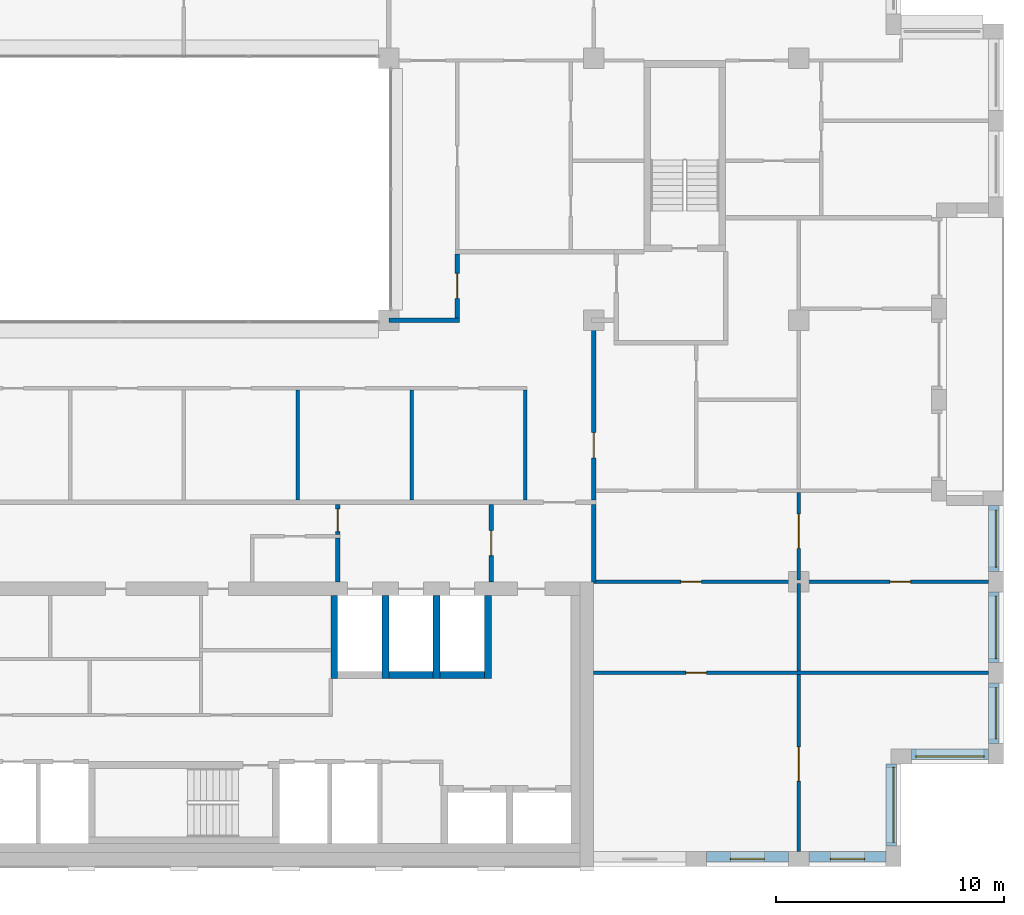
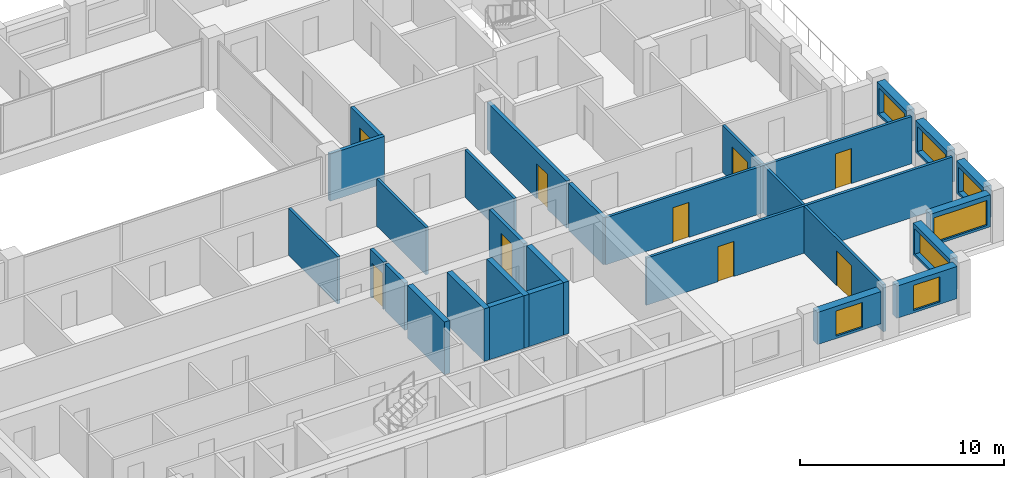
# One storey, part 11 of 15: 28 walls, 9 doors, 7 windows, 16 openings.
"""IFC4 building model written with IfcOpenShell, lengths in metres."""

from ifc_helpers import new_model, si_unit, direction, frame, frame_2d, origin, place, context, subcontext, project, spatial, rectangle, extrude, material, layer, layer_set, type_object, element, fill, save


model = new_model("IFC4")

# Units and contexts
model_context = context("Model", 3, precision=1e-05, world=origin(), true_north=direction((0.0, 1.0)))
body_context = subcontext(model_context, "Body", "Model", "MODEL_VIEW")
ifc_project = project(units=[si_unit("LENGTHUNIT", "METRE"), si_unit("AREAUNIT", "SQUARE_METRE"), si_unit("VOLUMEUNIT", "CUBIC_METRE"), si_unit("PLANEANGLEUNIT", "RADIAN"), si_unit("MASSUNIT", "GRAM", prefix="KILO")], contexts=[model_context])

# Site, building, storey
site_placement = place(None, origin())
site = spatial("IfcSite", under=ifc_project, at=site_placement, CompositionType="ELEMENT")
building_placement = place(site_placement, origin())
building = spatial("IfcBuilding", under=site, at=building_placement, Name="Brigalow Station Residences", CompositionType="ELEMENT")
storey_placement = place(building_placement, frame((0.0, 0.0, 213.75)))
storey = spatial("IfcBuildingStorey", under=building, at=storey_placement, Name="L61", CompositionType="ELEMENT", Elevation=213.75)

# Wall, opening, window
ifc_material_1 = material(Name="Clay brick masonry", Category="masonry")
ifc_layer_1 = layer(ifc_material_1, 0.449951171875)
ifc_layer_set_1 = layer_set([ifc_layer_1], Name="BRICK INFILL WALL 450")
wall_type_1 = type_object("IfcWallType", Name="BRICK INFILL WALL 450", PredefinedType="SOLIDWALL", material=ifc_layer_set_1)
wall_1_placement = place(storey_placement, frame((58.949951171875, 0.425048828125, 0.89990234375), z_axis=(0.0, 0.0, 1.0), x_axis=(1.0, 0.0, 0.0)))
wall_1 = element("IfcWall", 1, at=wall_1_placement, inside=storey, type_object=wall_type_1, Name="L61/ewall/W-L61-4", PredefinedType="SOLIDWALL", context=body_context, shape_type="SweptSolid", body=[
    extrude(rectangle(XDim=3.60009765625, YDim=0.449951171875, at=frame_2d((1.800048828125, 0.0))), origin(), (0.0, 0.0, 1.0), 1.93017578125),
])
opening_1_placement = place(wall_1_placement, frame((1.050048828125, 0.0, 0.14990234375)))
opening_1 = element("IfcOpeningElement", 2, at=opening_1_placement, cuts=wall_1, Name="Opening WT-1", PredefinedType="OPENING", context=body_context, shape_type="SweptSolid", body=[
    extrude(rectangle(XDim=1.5, YDim=1.5, at=frame_2d((0.75, 0.75))), frame((0.0, 0.23486328125, 0.0), z_axis=(0.0, -1.0, 0.0), x_axis=(1.0, 0.0, 0.0)), (0.0, 0.0, 1.0), 0.469970703125),
])
ifc_material_2 = material(Name="Anodised aluminium frame with double glazing", Category="aluminium")
window_type_1 = type_object("IfcWindowType", Name="WINDOW 1500x1500", PartitioningType="SINGLE_PANEL", PredefinedType="WINDOW", material=ifc_material_2)
window_1_placement = place(opening_1_placement, origin())
window_1 = element("IfcWindow", 3, at=window_1_placement, inside=storey, type_object=window_type_1, Name="L61/window/W-L61-4", OverallHeight=1.5, OverallWidth=1.5, PartitioningType="SINGLE_PANEL", PredefinedType="WINDOW", context=body_context, shape_type="SweptSolid", body=[
    extrude(rectangle(XDim=1.5, YDim=1.5, at=frame_2d((0.75, 0.75))), frame((0.0, -0.06494140625, 0.0), z_axis=(0.0, -1.0, 0.0), x_axis=(1.0, 0.0, 0.0)), (0.0, 0.0, 1.0), 0.06005859375),
])
fill(opening_1, window_1)

wall_2_placement = place(storey_placement, frame((63.449951171875, 0.425048828125, 0.89990234375), z_axis=(0.0, 0.0, 1.0), x_axis=(1.0, 0.0, 0.0)))
wall_2 = element("IfcWall", 4, at=wall_2_placement, inside=storey, type_object=wall_type_1, Name="L61/ewall/W-L61-5", PredefinedType="SOLIDWALL", context=body_context, shape_type="SweptSolid", body=[
    extrude(rectangle(XDim=3.400146484375, YDim=0.449951171875, at=frame_2d((1.7001953125, 0.0))), origin(), (0.0, 0.0, 1.0), 1.93017578125),
])
opening_2_placement = place(wall_2_placement, frame((0.949951171875, 0.0, 0.14990234375)))
opening_2 = element("IfcOpeningElement", 5, at=opening_2_placement, cuts=wall_2, Name="Opening WT-1", PredefinedType="OPENING", context=body_context, shape_type="SweptSolid", body=[
    extrude(rectangle(XDim=1.5, YDim=1.5, at=frame_2d((0.75, 0.75))), frame((0.0, 0.23486328125, 0.0), z_axis=(0.0, -1.0, 0.0), x_axis=(1.0, 0.0, 0.0)), (0.0, 0.0, 1.0), 0.469970703125),
])
window_2_placement = place(opening_2_placement, origin())
window_2 = element("IfcWindow", 6, at=window_2_placement, inside=storey, type_object=window_type_1, Name="L61/window/W-L61-5", OverallHeight=1.5, OverallWidth=1.5, PartitioningType="SINGLE_PANEL", PredefinedType="WINDOW", context=body_context, shape_type="SweptSolid", body=[
    extrude(rectangle(XDim=1.5, YDim=1.5, at=frame_2d((0.75, 0.75))), frame((0.0, -0.06494140625, 0.0), z_axis=(0.0, -1.0, 0.0), x_axis=(1.0, 0.0, 0.0)), (0.0, 0.0, 1.0), 0.06005859375),
])
fill(opening_2, window_2)

wall_3_placement = place(storey_placement, frame((67.074951171875, 0.89990234375, 0.89990234375), z_axis=(0.0, 0.0, 1.0), x_axis=(0.0, 1.0, 0.0)))
wall_3 = element("IfcWall", 7, at=wall_3_placement, inside=storey, type_object=wall_type_1, Name="L61/ewall/W-L61-6", PredefinedType="SOLIDWALL", context=body_context, shape_type="SweptSolid", body=[
    extrude(rectangle(XDim=3.60009765625, YDim=0.449951171875, at=frame_2d((1.800048828125, 0.0))), origin(), (0.0, 0.0, 1.0), 1.93017578125),
])
opening_3_placement = place(wall_3_placement, frame((0.14990234375, 0.0, 0.14990234375)))
opening_3 = element("IfcOpeningElement", 8, at=opening_3_placement, cuts=wall_3, Name="Opening WT-10", PredefinedType="OPENING", context=body_context, shape_type="SweptSolid", body=[
    extrude(rectangle(XDim=3.300048828125, YDim=1.5, at=frame_2d((1.64990234375, 0.75))), frame((0.0, 0.23486328125, 0.0), z_axis=(0.0, -1.0, 0.0), x_axis=(1.0, 0.0, 0.0)), (0.0, 0.0, 1.0), 0.469970703125),
])
ifc_material_3 = material(Name="Anodised aluminium frame with double glazing", Category="aluminium")
window_type_2 = type_object("IfcWindowType", Name="WINDOW 3300x1500", PartitioningType="SINGLE_PANEL", PredefinedType="WINDOW", material=ifc_material_3)
window_3_placement = place(opening_3_placement, origin())
window_3 = element("IfcWindow", 9, at=window_3_placement, inside=storey, type_object=window_type_2, Name="L61/window/W-L61-6", OverallHeight=1.5, OverallWidth=3.300048828125, PartitioningType="SINGLE_PANEL", PredefinedType="WINDOW", context=body_context, shape_type="SweptSolid", body=[
    extrude(rectangle(XDim=3.300048828125, YDim=1.5, at=frame_2d((1.64990234375, 0.75))), frame((0.0, -0.06494140625, 0.0), z_axis=(0.0, -1.0, 0.0), x_axis=(1.0, 0.0, 0.0)), (0.0, 0.0, 1.0), 0.06005859375),
])
fill(opening_3, window_3)

wall_4_placement = place(storey_placement, frame((67.949951171875, 4.925048828125, 0.89990234375), z_axis=(0.0, 0.0, 1.0), x_axis=(1.0, 0.0, 0.0)))
wall_4 = element("IfcWall", 10, at=wall_4_placement, inside=storey, type_object=wall_type_1, Name="L61/ewall/W-L61-7", PredefinedType="SOLIDWALL", context=body_context, shape_type="SweptSolid", body=[
    extrude(rectangle(XDim=3.400146484375, YDim=0.449951171875, at=frame_2d((1.7001953125, 0.0))), origin(), (0.0, 0.0, 1.0), 1.93017578125),
])
opening_4_placement = place(wall_4_placement, frame((0.199951171875, 0.0, 0.14990234375)))
opening_4 = element("IfcOpeningElement", 11, at=opening_4_placement, cuts=wall_4, Name="Opening WT-2", PredefinedType="OPENING", context=body_context, shape_type="SweptSolid", body=[
    extrude(rectangle(XDim=3.0, YDim=1.5, at=frame_2d((1.5, 0.75))), frame((0.0, 0.23486328125, 0.0), z_axis=(0.0, -1.0, 0.0), x_axis=(1.0, 0.0, 0.0)), (0.0, 0.0, 1.0), 0.469970703125),
])
ifc_material_4 = material(Name="Anodised aluminium frame with double glazing", Category="aluminium")
window_type_3 = type_object("IfcWindowType", Name="WINDOW 3000x1500", PartitioningType="SINGLE_PANEL", PredefinedType="WINDOW", material=ifc_material_4)
window_4_placement = place(opening_4_placement, origin())
window_4 = element("IfcWindow", 12, at=window_4_placement, inside=storey, type_object=window_type_3, Name="L61/window/W-L61-7", OverallHeight=1.5, OverallWidth=3.0, PartitioningType="SINGLE_PANEL", PredefinedType="WINDOW", context=body_context, shape_type="SweptSolid", body=[
    extrude(rectangle(XDim=3.0, YDim=1.5, at=frame_2d((1.5, 0.75))), frame((0.0, -0.06494140625, 0.0), z_axis=(0.0, -1.0, 0.0), x_axis=(1.0, 0.0, 0.0)), (0.0, 0.0, 1.0), 0.06005859375),
])
fill(opening_4, window_4)

wall_5_placement = place(storey_placement, frame((71.574951171875, 5.39990234375, 0.89990234375), z_axis=(0.0, 0.0, 1.0), x_axis=(0.0, 1.0, 0.0)))
wall_5 = element("IfcWall", 13, at=wall_5_placement, inside=storey, type_object=wall_type_1, Name="L61/ewall/W-L61-8", PredefinedType="SOLIDWALL", context=body_context, shape_type="SweptSolid", body=[
    extrude(rectangle(XDim=2.650146484375, YDim=0.449951171875, at=frame_2d((1.3251953125, 0.0))), origin(), (0.0, 0.0, 1.0), 1.93017578125),
])
opening_5_placement = place(wall_5_placement, frame((0.199951171875, 0.0, 0.14990234375)))
opening_5 = element("IfcOpeningElement", 14, at=opening_5_placement, cuts=wall_5, Name="Opening WT-6", PredefinedType="OPENING", context=body_context, shape_type="SweptSolid", body=[
    extrude(rectangle(XDim=2.25, YDim=1.5, at=frame_2d((1.125, 0.75))), frame((0.0, 0.23486328125, 0.0), z_axis=(0.0, -1.0, 0.0), x_axis=(1.0, 0.0, 0.0)), (0.0, 0.0, 1.0), 0.469970703125),
])
ifc_material_5 = material(Name="Anodised aluminium frame with double glazing", Category="aluminium")
window_type_4 = type_object("IfcWindowType", Name="WINDOW 2250x1500", PartitioningType="SINGLE_PANEL", PredefinedType="WINDOW", material=ifc_material_5)
window_5_placement = place(opening_5_placement, origin())
window_5 = element("IfcWindow", 15, at=window_5_placement, inside=storey, type_object=window_type_4, Name="L61/window/W-L61-8", OverallHeight=1.5, OverallWidth=2.25, PartitioningType="SINGLE_PANEL", PredefinedType="WINDOW", context=body_context, shape_type="SweptSolid", body=[
    extrude(rectangle(XDim=2.25, YDim=1.5, at=frame_2d((1.125, 0.75))), frame((0.0, -0.06494140625, 0.0), z_axis=(0.0, -1.0, 0.0), x_axis=(1.0, 0.0, 0.0)), (0.0, 0.0, 1.0), 0.06005859375),
])
fill(opening_5, window_5)

wall_6_placement = place(storey_placement, frame((71.574951171875, 8.949951171875, 0.89990234375), z_axis=(0.0, 0.0, 1.0), x_axis=(0.0, 1.0, 0.0)))
wall_6 = element("IfcWall", 16, at=wall_6_placement, inside=storey, type_object=wall_type_1, Name="L61/ewall/W-L61-9", PredefinedType="SOLIDWALL", context=body_context, shape_type="SweptSolid", body=[
    extrude(rectangle(XDim=3.10009765625, YDim=0.449951171875, at=frame_2d((1.550048828125, 0.0))), origin(), (0.0, 0.0, 1.0), 1.93017578125),
])
opening_6_placement = place(wall_6_placement, frame((0.175048828125, 0.0, 0.14990234375)))
opening_6 = element("IfcOpeningElement", 17, at=opening_6_placement, cuts=wall_6, Name="Opening WT-3", PredefinedType="OPENING", context=body_context, shape_type="SweptSolid", body=[
    extrude(rectangle(XDim=2.75, YDim=1.5, at=frame_2d((1.375, 0.75))), frame((0.0, 0.23486328125, 0.0), z_axis=(0.0, -1.0, 0.0), x_axis=(1.0, 0.0, 0.0)), (0.0, 0.0, 1.0), 0.469970703125),
])
ifc_material_6 = material(Name="Anodised aluminium frame with double glazing", Category="aluminium")
window_type_5 = type_object("IfcWindowType", Name="WINDOW 2750x1500", PartitioningType="SINGLE_PANEL", PredefinedType="WINDOW", material=ifc_material_6)
window_6_placement = place(opening_6_placement, origin())
window_6 = element("IfcWindow", 18, at=window_6_placement, inside=storey, type_object=window_type_5, Name="L61/window/W-L61-9", OverallHeight=1.5, OverallWidth=2.75, PartitioningType="SINGLE_PANEL", PredefinedType="WINDOW", context=body_context, shape_type="SweptSolid", body=[
    extrude(rectangle(XDim=2.75, YDim=1.5, at=frame_2d((1.375, 0.75))), frame((0.0, -0.06494140625, 0.0), z_axis=(0.0, -1.0, 0.0), x_axis=(1.0, 0.0, 0.0)), (0.0, 0.0, 1.0), 0.06005859375),
])
fill(opening_6, window_6)

wall_7_placement = place(storey_placement, frame((71.574951171875, 12.949951171875, 0.89990234375), z_axis=(0.0, 0.0, 1.0), x_axis=(0.0, 1.0, 0.0)))
wall_7 = element("IfcWall", 19, at=wall_7_placement, inside=storey, type_object=wall_type_1, Name="L61/ewall/W-L61-10", PredefinedType="SOLIDWALL", context=body_context, shape_type="SweptSolid", body=[
    extrude(rectangle(XDim=2.900146484375, YDim=0.449951171875, at=frame_2d((1.4501953125, 0.0))), origin(), (0.0, 0.0, 1.0), 1.93017578125),
])
opening_7_placement = place(wall_7_placement, frame((0.199951171875, 0.0, 0.14990234375)))
opening_7 = element("IfcOpeningElement", 20, at=opening_7_placement, cuts=wall_7, Name="Opening WT-5", PredefinedType="OPENING", context=body_context, shape_type="SweptSolid", body=[
    extrude(rectangle(XDim=2.5, YDim=1.5, at=frame_2d((1.25, 0.75))), frame((0.0, 0.23486328125, 0.0), z_axis=(0.0, -1.0, 0.0), x_axis=(1.0, 0.0, 0.0)), (0.0, 0.0, 1.0), 0.469970703125),
])
ifc_material_7 = material(Name="Anodised aluminium frame with double glazing", Category="aluminium")
window_type_6 = type_object("IfcWindowType", Name="WINDOW 2500x1500", PartitioningType="SINGLE_PANEL", PredefinedType="WINDOW", material=ifc_material_7)
window_7_placement = place(opening_7_placement, origin())
window_7 = element("IfcWindow", 21, at=window_7_placement, inside=storey, type_object=window_type_6, Name="L61/window/W-L61-10", OverallHeight=1.5, OverallWidth=2.5, PartitioningType="SINGLE_PANEL", PredefinedType="WINDOW", context=body_context, shape_type="SweptSolid", body=[
    extrude(rectangle(XDim=2.5, YDim=1.5, at=frame_2d((1.25, 0.75))), frame((0.0, -0.06494140625, 0.0), z_axis=(0.0, -1.0, 0.0), x_axis=(1.0, 0.0, 0.0)), (0.0, 0.0, 1.0), 0.06005859375),
])
fill(opening_7, window_7)

# Walls
ifc_material_8 = material(Name="Concrete C50", Category="concrete")
ifc_layer_2 = layer(ifc_material_8, 0.300048828125)
ifc_layer_set_2 = layer_set([ifc_layer_2], Name="CORE SHEAR WALL 300 C50")
wall_type_2 = type_object("IfcWallType", Name="CORE SHEAR WALL 300 C50", PredefinedType="SHEAR", material=ifc_layer_set_2)
wall_8_placement = place(storey_placement, frame((42.60009765625, 8.25, 0.0), z_axis=(0.0, 0.0, 1.0), x_axis=(0.0, 1.0, 0.0)))
element("IfcWall", 22, at=wall_8_placement, inside=storey, type_object=wall_type_2, Name="CORE WALL SH-FF1-W L61", PredefinedType="SHEAR", context=body_context, shape_type="SweptSolid", body=[
    extrude(rectangle(XDim=3.64990234375, YDim=0.300048828125, at=frame_2d((1.824951171875, 0.0))), origin(), (0.0, 0.0, 1.0), 3.14990234375),
])
wall_9_placement = place(storey_placement, frame((45.0, 8.39990234375, 0.0), z_axis=(0.0, 0.0, 1.0), x_axis=(1.0, 0.0, 0.0)))
element("IfcWall", 23, at=wall_9_placement, inside=storey, type_object=wall_type_2, Name="CORE WALL SH-FF2-S L61", PredefinedType="SHEAR", context=body_context, shape_type="SweptSolid", body=[
    extrude(rectangle(XDim=1.949951171875, YDim=0.300048828125, at=frame_2d((0.97509765625, 0.0))), origin(), (0.0, 0.0, 1.0), 3.14990234375),
])
wall_10_placement = place(storey_placement, frame((44.85009765625, 8.25, 0.0), z_axis=(0.0, 0.0, 1.0), x_axis=(0.0, 1.0, 0.0)))
element("IfcWall", 24, at=wall_10_placement, inside=storey, type_object=wall_type_2, Name="CORE WALL SH-FF2-W L61", PredefinedType="SHEAR", context=body_context, shape_type="SweptSolid", body=[
    extrude(rectangle(XDim=3.64990234375, YDim=0.300048828125, at=frame_2d((1.824951171875, 0.0))), origin(), (0.0, 0.0, 1.0), 3.14990234375),
])
wall_11_placement = place(storey_placement, frame((47.25, 8.39990234375, 0.0), z_axis=(0.0, 0.0, 1.0), x_axis=(1.0, 0.0, 0.0)))
element("IfcWall", 25, at=wall_11_placement, inside=storey, type_object=wall_type_2, Name="CORE WALL SH-SL1-S L61", PredefinedType="SHEAR", context=body_context, shape_type="SweptSolid", body=[
    extrude(rectangle(XDim=1.949951171875, YDim=0.300048828125, at=frame_2d((0.97509765625, 0.0))), origin(), (0.0, 0.0, 1.0), 3.14990234375),
])
for number, where, z_axis, x_axis, name in (
    (26, (47.10009765625, 8.25, 0.0), (0.0, 0.0, 1.0), (0.0, 1.0, 0.0), "CORE WALL SH-SL1-W L61"),
    (27, (49.35009765625, 8.25, 0.0), (0.0, 0.0, 1.0), (0.0, 1.0, 0.0), "CORE WALL SH-SL1-E L61"),
):
    element("IfcWall", number, at=place(storey_placement, frame(where, z_axis=z_axis, x_axis=x_axis)), inside=storey, type_object=wall_type_2, Name=name, PredefinedType="SHEAR", context=body_context, shape_type="SweptSolid", body=[
        extrude(rectangle(XDim=3.64990234375, YDim=0.300048828125, at=frame_2d((1.824951171875, 0.0))), origin(), (0.0, 0.0, 1.0), 3.14990234375),
    ])
ifc_material_9 = material(Name="Concrete blockwork", Category="masonry")
ifc_layer_3 = layer(ifc_material_9, 0.199951171875)
ifc_layer_set_3 = layer_set([ifc_layer_3], Name="FIRE RATED CORE PARTITION 200")
wall_type_3 = type_object("IfcWallType", Name="FIRE RATED CORE PARTITION 200", PredefinedType="PARTITIONING", material=ifc_layer_set_3)
wall_12_placement = place(storey_placement, frame((42.75, 12.5, 0.0), z_axis=(0.0, 0.0, 1.0), x_axis=(0.0, 1.0, 0.0)))
element("IfcWall", 28, at=wall_12_placement, inside=storey, type_object=wall_type_3, Name="PW-5046", PredefinedType="PARTITIONING", context=body_context, shape_type="SweptSolid", body=[
    extrude(rectangle(XDim=1.925048828125, YDim=0.199951171875, at=frame_2d((0.96240234375, 0.0))), origin(), (0.0, 0.0, 1.0), 2.830078125),
])

# Wall, opening, door
wall_13_placement = place(storey_placement, frame((49.5, 12.5, 0.0), z_axis=(0.0, 0.0, 1.0), x_axis=(0.0, 1.0, 0.0)))
wall_13 = element("IfcWall", 29, at=wall_13_placement, inside=storey, type_object=wall_type_3, Name="PW-5015", PredefinedType="PARTITIONING", context=body_context, shape_type="SweptSolid", body=[
    extrude(rectangle(XDim=3.39990234375, YDim=0.199951171875, at=frame_2d((1.699951171875, 0.0))), origin(), (0.0, 0.0, 1.0), 2.830078125),
])
opening_8_placement = place(wall_13_placement, frame((1.14990234375, 0.0, 0.0)))
opening_8 = element("IfcOpeningElement", 30, at=opening_8_placement, cuts=wall_13, Name="Opening D-5014", PredefinedType="OPENING", context=body_context, shape_type="SweptSolid", body=[
    extrude(rectangle(XDim=1.10009765625, YDim=2.10009765625, at=frame_2d((0.550048828125, 1.050048828125))), frame((0.0, 0.10986328125, 0.0), z_axis=(0.0, -1.0, 0.0), x_axis=(1.0, 0.0, 0.0)), (0.0, 0.0, 1.0), 0.219970703125),
])
ifc_material_10 = material(Name="Steel fire door leaf in steel frame", Category="steel")
door_type_1 = type_object("IfcDoorType", Name="LOBBY DOOR 1100 x 2100 FD60S", OperationType="SINGLE_SWING_LEFT", PredefinedType="DOOR", material=ifc_material_10)
door_1_placement = place(opening_8_placement, origin())
door_1 = element("IfcDoor", 31, at=door_1_placement, inside=storey, type_object=door_type_1, Name="D-5014", OperationType="SINGLE_SWING_LEFT", OverallHeight=2.10009765625, OverallWidth=1.10009765625, PredefinedType="DOOR", context=body_context, shape_type="SweptSolid", body=[
    extrude(rectangle(XDim=1.10009765625, YDim=2.10009765625, at=frame_2d((0.550048828125, 1.050048828125))), frame((0.0, 0.02490234375, 0.0), z_axis=(0.0, -1.0, 0.0), x_axis=(1.0, 0.0, 0.0)), (0.0, 0.0, 1.0), 0.050048828125),
])
fill(opening_8, door_1)

# Wall
wall_14_placement = place(storey_placement, frame((54.0, 12.5, 0.0), z_axis=(0.0, 0.0, 1.0), x_axis=(0.0, 1.0, 0.0)))
element("IfcWall", 32, at=wall_14_placement, inside=storey, type_object=wall_type_3, Name="PW-5016", PredefinedType="PARTITIONING", context=body_context, shape_type="SweptSolid", body=[
    extrude(rectangle(XDim=3.39990234375, YDim=0.199951171875, at=frame_2d((1.699951171875, 0.0))), origin(), (0.0, 0.0, 1.0), 2.830078125),
])

# Wall, opening, door
wall_15_placement = place(storey_placement, frame((42.75, 14.574951171875, 0.0), z_axis=(0.0, 0.0, 1.0), x_axis=(0.0, 1.0, 0.0)))
wall_15 = element("IfcWall", 33, at=wall_15_placement, inside=storey, type_object=wall_type_3, Name="PW-5047", PredefinedType="PARTITIONING", context=body_context, shape_type="SweptSolid", body=[
    extrude(rectangle(XDim=1.324951171875, YDim=0.199951171875, at=frame_2d((0.66259765625, 0.0))), origin(), (0.0, 0.0, 1.0), 2.830078125),
])
opening_9_placement = place(wall_15_placement, frame((0.125, 0.0, 0.0)))
opening_9 = element("IfcOpeningElement", 34, at=opening_9_placement, cuts=wall_15, Name="Opening D-5013", PredefinedType="OPENING", context=body_context, shape_type="SweptSolid", body=[
    extrude(rectangle(XDim=1.0, YDim=2.10009765625, at=frame_2d((0.5, 1.050048828125))), frame((0.0, 0.10986328125, 0.0), z_axis=(0.0, -1.0, 0.0), x_axis=(1.0, 0.0, 0.0)), (0.0, 0.0, 1.0), 0.219970703125),
])
ifc_material_11 = material(Name="Steel fire door leaf in steel frame", Category="steel")
door_type_2 = type_object("IfcDoorType", Name="LOBBY DOOR 1000 x 2100 FD60S", OperationType="SINGLE_SWING_LEFT", PredefinedType="DOOR", material=ifc_material_11)
door_2_placement = place(opening_9_placement, origin())
door_2 = element("IfcDoor", 35, at=door_2_placement, inside=storey, type_object=door_type_2, Name="D-5013", OperationType="SINGLE_SWING_LEFT", OverallHeight=2.10009765625, OverallWidth=1.0, PredefinedType="DOOR", context=body_context, shape_type="SweptSolid", body=[
    extrude(rectangle(XDim=1.0, YDim=2.10009765625, at=frame_2d((0.5, 1.050048828125))), frame((0.0, 0.02490234375, 0.0), z_axis=(0.0, -1.0, 0.0), x_axis=(1.0, 0.0, 0.0)), (0.0, 0.0, 1.0), 0.050048828125),
])
fill(opening_9, door_2)

# Wall, openings, doors
ifc_material_12 = material(Name="Plasterboard on steel stud partition", Category="steel")
ifc_layer_4 = layer(ifc_material_12, 0.14990234375)
ifc_layer_set_4 = layer_set([ifc_layer_4], Name="FLAT PARTITION 150")
wall_type_4 = type_object("IfcWallType", Name="FLAT PARTITION 150", PredefinedType="PARTITIONING", material=ifc_layer_set_4)
wall_16_placement = place(storey_placement, frame((54.0, 12.5, 0.0), z_axis=(0.0, 0.0, 1.0), x_axis=(1.0, 0.0, 0.0)))
wall_16 = element("IfcWall", 36, at=wall_16_placement, inside=storey, type_object=wall_type_4, Name="PW-4B11", PredefinedType="PARTITIONING", context=body_context, shape_type="SweptSolid", body=[
    extrude(rectangle(XDim=17.35009765625, YDim=0.14990234375, at=frame_2d((8.675048828125, 0.0))), origin(), (0.0, 0.0, 1.0), 2.830078125),
])
opening_10_placement = place(wall_16_placement, frame((3.824951171875, 0.0, 0.0)))
opening_10 = element("IfcOpeningElement", 37, at=opening_10_placement, cuts=wall_16, Name="Opening D-4B34", PredefinedType="OPENING", context=body_context, shape_type="SweptSolid", body=[
    extrude(rectangle(XDim=0.89990234375, YDim=2.10009765625, at=frame_2d((0.449951171875, 1.050048828125))), frame((0.0, 0.0849609375, 0.0), z_axis=(0.0, -1.0, 0.0), x_axis=(1.0, 0.0, 0.0)), (0.0, 0.0, 1.0), 0.169921875),
])
opening_11_placement = place(wall_16_placement, frame((13.02490234375, 0.0, 0.0)))
opening_11 = element("IfcOpeningElement", 38, at=opening_11_placement, cuts=wall_16, Name="Opening D-4B38", PredefinedType="OPENING", context=body_context, shape_type="SweptSolid", body=[
    extrude(rectangle(XDim=0.89990234375, YDim=2.10009765625, at=frame_2d((0.449951171875, 1.050048828125))), frame((0.0, 0.0849609375, 0.0), z_axis=(0.0, -1.0, 0.0), x_axis=(1.0, 0.0, 0.0)), (0.0, 0.0, 1.0), 0.169921875),
])
ifc_material_13 = material(Name="Solid-core timber door leaf", Category="wood")
door_type_3 = type_object("IfcDoorType", Name="INTERNAL DOOR 900 x 2100", OperationType="SINGLE_SWING_LEFT", PredefinedType="DOOR", material=ifc_material_13)
door_3_placement = place(opening_10_placement, origin())
door_3 = element("IfcDoor", 39, at=door_3_placement, inside=storey, type_object=door_type_3, Name="D-4B34", OperationType="SINGLE_SWING_LEFT", OverallHeight=2.10009765625, OverallWidth=0.89990234375, PredefinedType="DOOR", context=body_context, shape_type="SweptSolid", body=[
    extrude(rectangle(XDim=0.89990234375, YDim=2.10009765625, at=frame_2d((0.449951171875, 1.050048828125))), frame((0.0, 0.02490234375, 0.0), z_axis=(0.0, -1.0, 0.0), x_axis=(1.0, 0.0, 0.0)), (0.0, 0.0, 1.0), 0.050048828125),
])
fill(opening_10, door_3)
door_4_placement = place(opening_11_placement, origin())
door_4 = element("IfcDoor", 40, at=door_4_placement, inside=storey, type_object=door_type_3, Name="D-4B38", OperationType="SINGLE_SWING_RIGHT", OverallHeight=2.10009765625, OverallWidth=0.89990234375, PredefinedType="DOOR", context=body_context, shape_type="SweptSolid", body=[
    extrude(rectangle(XDim=0.89990234375, YDim=2.10009765625, at=frame_2d((0.449951171875, 1.050048828125))), frame((0.0, 0.02490234375, 0.0), z_axis=(0.0, -1.0, 0.0), x_axis=(1.0, 0.0, 0.0)), (0.0, 0.0, 1.0), 0.050048828125),
])
fill(opening_11, door_4)

# Wall, opening, door
wall_17_placement = place(storey_placement, frame((54.0, 8.5, 0.0), z_axis=(0.0, 0.0, 1.0), x_axis=(1.0, 0.0, 0.0)))
wall_17 = element("IfcWall", 41, at=wall_17_placement, inside=storey, type_object=wall_type_4, Name="PW-4B13", PredefinedType="PARTITIONING", context=body_context, shape_type="SweptSolid", body=[
    extrude(rectangle(XDim=17.35009765625, YDim=0.14990234375, at=frame_2d((8.675048828125, 0.0))), origin(), (0.0, 0.0, 1.0), 2.830078125),
])
opening_12_placement = place(wall_17_placement, frame((4.050048828125, 0.0, 0.0)))
opening_12 = element("IfcOpeningElement", 42, at=opening_12_placement, cuts=wall_17, Name="Opening D-4B35", PredefinedType="OPENING", context=body_context, shape_type="SweptSolid", body=[
    extrude(rectangle(XDim=0.89990234375, YDim=2.10009765625, at=frame_2d((0.449951171875, 1.050048828125))), frame((0.0, 0.0849609375, 0.0), z_axis=(0.0, -1.0, 0.0), x_axis=(1.0, 0.0, 0.0)), (0.0, 0.0, 1.0), 0.169921875),
])
door_5_placement = place(opening_12_placement, origin())
door_5 = element("IfcDoor", 43, at=door_5_placement, inside=storey, type_object=door_type_3, Name="D-4B35", OperationType="SINGLE_SWING_RIGHT", OverallHeight=2.10009765625, OverallWidth=0.89990234375, PredefinedType="DOOR", context=body_context, shape_type="SweptSolid", body=[
    extrude(rectangle(XDim=0.89990234375, YDim=2.10009765625, at=frame_2d((0.449951171875, 1.050048828125))), frame((0.0, 0.02490234375, 0.0), z_axis=(0.0, -1.0, 0.0), x_axis=(1.0, 0.0, 0.0)), (0.0, 0.0, 1.0), 0.050048828125),
])
fill(opening_12, door_5)

# Wall
wall_18_placement = place(storey_placement, frame((51.0, 16.10009765625, 0.0), z_axis=(0.0, 0.0, 1.0), x_axis=(0.0, 1.0, 0.0)))
element("IfcWall", 44, at=wall_18_placement, inside=storey, type_object=wall_type_4, Name="PW-4B32", PredefinedType="PARTITIONING", context=body_context, shape_type="SweptSolid", body=[
    extrude(rectangle(XDim=4.824951171875, YDim=0.14990234375, at=frame_2d((2.41259765625, 0.0))), origin(), (0.0, 0.0, 1.0), 2.830078125),
])

# Wall, opening, door
wall_19_placement = place(storey_placement, frame((63.0, 0.64990234375, 0.0), z_axis=(0.0, 0.0, 1.0), x_axis=(0.0, 1.0, 0.0)))
wall_19 = element("IfcWall", 45, at=wall_19_placement, inside=storey, type_object=wall_type_4, Name="PW-4B47", PredefinedType="PARTITIONING", context=body_context, shape_type="SweptSolid", body=[
    extrude(rectangle(XDim=7.775146484375, YDim=0.14990234375, at=frame_2d((3.8876953125, 0.0))), origin(), (0.0, 0.0, 1.0), 2.830078125),
])
opening_13_placement = place(wall_19_placement, frame((3.10009765625, 0.0, 0.0)))
opening_13 = element("IfcOpeningElement", 46, at=opening_13_placement, cuts=wall_19, Name="Opening D-4B36", PredefinedType="OPENING", context=body_context, shape_type="SweptSolid", body=[
    extrude(rectangle(XDim=1.5, YDim=2.10009765625, at=frame_2d((0.75, 1.050048828125))), frame((0.0, 0.0849609375, 0.0), z_axis=(0.0, -1.0, 0.0), x_axis=(1.0, 0.0, 0.0)), (0.0, 0.0, 1.0), 0.169921875),
])
ifc_material_14 = material(Name="Solid-core timber door leaf", Category="wood")
door_type_4 = type_object("IfcDoorType", Name="INTERNAL DOUBLE DOOR 1500 x 2100", OperationType="DOUBLE_DOOR_SINGLE_SWING", PredefinedType="DOOR", material=ifc_material_14)
door_6_placement = place(opening_13_placement, frame((1.5, 0.0, 0.0), z_axis=(0.0, 0.0, 1.0), x_axis=(-1.0, 0.0, 0.0)))
door_6 = element("IfcDoor", 47, at=door_6_placement, inside=storey, type_object=door_type_4, Name="D-4B36", OperationType="DOUBLE_DOOR_SINGLE_SWING", OverallHeight=2.10009765625, OverallWidth=1.5, PredefinedType="DOOR", context=body_context, shape_type="SweptSolid", body=[
    extrude(rectangle(XDim=1.5, YDim=2.10009765625, at=frame_2d((0.75, 1.050048828125))), frame((0.0, 0.02490234375, 0.0), z_axis=(0.0, -1.0, 0.0), x_axis=(1.0, 0.0, 0.0)), (0.0, 0.0, 1.0), 0.050048828125),
])
fill(opening_13, door_6)

# Wall
wall_20_placement = place(storey_placement, frame((63.0, 8.574951171875, 0.0), z_axis=(0.0, 0.0, 1.0), x_axis=(0.0, 1.0, 0.0)))
element("IfcWall", 48, at=wall_20_placement, inside=storey, type_object=wall_type_4, Name="PW-4B48", PredefinedType="PARTITIONING", context=body_context, shape_type="SweptSolid", body=[
    extrude(rectangle(XDim=3.85009765625, YDim=0.14990234375, at=frame_2d((1.925048828125, 0.0))), origin(), (0.0, 0.0, 1.0), 2.830078125),
])

# Wall, opening, door
wall_21_placement = place(storey_placement, frame((63.0, 12.574951171875, 0.0), z_axis=(0.0, 0.0, 1.0), x_axis=(0.0, 1.0, 0.0)))
wall_21 = element("IfcWall", 49, at=wall_21_placement, inside=storey, type_object=wall_type_4, Name="PW-4B49", PredefinedType="PARTITIONING", context=body_context, shape_type="SweptSolid", body=[
    extrude(rectangle(XDim=3.85009765625, YDim=0.14990234375, at=frame_2d((1.925048828125, 0.0))), origin(), (0.0, 0.0, 1.0), 2.830078125),
])
opening_14_placement = place(wall_21_placement, frame((1.39990234375, 0.0, 0.0)))
opening_14 = element("IfcOpeningElement", 50, at=opening_14_placement, cuts=wall_21, Name="Opening D-4B37", PredefinedType="OPENING", context=body_context, shape_type="SweptSolid", body=[
    extrude(rectangle(XDim=1.5, YDim=2.10009765625, at=frame_2d((0.75, 1.050048828125))), frame((0.0, 0.0849609375, 0.0), z_axis=(0.0, -1.0, 0.0), x_axis=(1.0, 0.0, 0.0)), (0.0, 0.0, 1.0), 0.169921875),
])
door_7_placement = place(opening_14_placement, frame((1.5, 0.0, 0.0), z_axis=(0.0, 0.0, 1.0), x_axis=(-1.0, 0.0, 0.0)))
door_7 = element("IfcDoor", 51, at=door_7_placement, inside=storey, type_object=door_type_4, Name="D-4B37", OperationType="DOUBLE_DOOR_SINGLE_SWING", OverallHeight=2.10009765625, OverallWidth=1.5, PredefinedType="DOOR", context=body_context, shape_type="SweptSolid", body=[
    extrude(rectangle(XDim=1.5, YDim=2.10009765625, at=frame_2d((0.75, 1.050048828125))), frame((0.0, 0.02490234375, 0.0), z_axis=(0.0, -1.0, 0.0), x_axis=(1.0, 0.0, 0.0)), (0.0, 0.0, 1.0), 0.050048828125),
])
fill(opening_14, door_7)

# Walls
for number, where, z_axis, x_axis, name in (
    (52, (41.0, 16.10009765625, 0.0), (0.0, 0.0, 1.0), (0.0, 1.0, 0.0), "PW-4B54"),
    (53, (46.0, 16.10009765625, 0.0), (0.0, 0.0, 1.0), (0.0, 1.0, 0.0), "PW-4B55"),
):
    element("IfcWall", number, at=place(storey_placement, frame(where, z_axis=z_axis, x_axis=x_axis)), inside=storey, type_object=wall_type_4, Name=name, PredefinedType="PARTITIONING", context=body_context, shape_type="SweptSolid", body=[
        extrude(rectangle(XDim=4.824951171875, YDim=0.14990234375, at=frame_2d((2.41259765625, 0.0))), origin(), (0.0, 0.0, 1.0), 2.830078125),
    ])
ifc_material_15 = material(Name="Plasterboard on steel stud partition", Category="steel")
ifc_layer_5 = layer(ifc_material_15, 0.199951171875)
ifc_layer_set_5 = layer_set([ifc_layer_5], Name="PARTY AND CORRIDOR WALL 200")
wall_type_5 = type_object("IfcWallType", Name="PARTY AND CORRIDOR WALL 200", PredefinedType="PARTITIONING", material=ifc_layer_set_5)
wall_22_placement = place(storey_placement, frame((45.0, 24.0, 0.0), z_axis=(0.0, 0.0, 1.0), x_axis=(1.0, 0.0, 0.0)))
element("IfcWall", 54, at=wall_22_placement, inside=storey, type_object=wall_type_5, Name="PW-4B03", PredefinedType="PARTITIONING", context=body_context, shape_type="SweptSolid", body=[
    extrude(rectangle(XDim=3.10009765625, YDim=0.199951171875, at=frame_2d((1.550048828125, 0.0))), origin(), (0.0, 0.0, 1.0), 2.830078125),
])

# Wall, opening, door
wall_23_placement = place(storey_placement, frame((54.0, 16.10009765625, 0.0), z_axis=(0.0, 0.0, 1.0), x_axis=(0.0, 1.0, 0.0)))
wall_23 = element("IfcWall", 55, at=wall_23_placement, inside=storey, type_object=wall_type_5, Name="PW-4B30", PredefinedType="PARTITIONING", context=body_context, shape_type="SweptSolid", body=[
    extrude(rectangle(XDim=7.7998046875, YDim=0.199951171875, at=frame_2d((3.89990234375, 0.0))), origin(), (0.0, 0.0, 1.0), 2.830078125),
])
opening_15_placement = place(wall_23_placement, frame((1.85009765625, 0.0, 0.0)))
opening_15 = element("IfcOpeningElement", 56, at=opening_15_placement, cuts=wall_23, Name="Opening D-4B31", PredefinedType="OPENING", context=body_context, shape_type="SweptSolid", body=[
    extrude(rectangle(XDim=1.10009765625, YDim=2.10009765625, at=frame_2d((0.550048828125, 1.050048828125))), frame((0.0, 0.10986328125, 0.0), z_axis=(0.0, -1.0, 0.0), x_axis=(1.0, 0.0, 0.0)), (0.0, 0.0, 1.0), 0.219970703125),
])
ifc_material_16 = material(Name="Solid-core timber door leaf", Category="wood")
door_type_5 = type_object("IfcDoorType", Name="FLAT ENTRANCE DOOR 1100 x 2100 FRL -/60/30", OperationType="SINGLE_SWING_LEFT", PredefinedType="DOOR", material=ifc_material_16)
door_8_placement = place(opening_15_placement, frame((1.10009765625, 0.0, 0.0), z_axis=(0.0, 0.0, 1.0), x_axis=(-1.0, 0.0, 0.0)))
door_8 = element("IfcDoor", 57, at=door_8_placement, inside=storey, type_object=door_type_5, Name="D-4B31", OperationType="SINGLE_SWING_RIGHT", OverallHeight=2.10009765625, OverallWidth=1.10009765625, PredefinedType="DOOR", context=body_context, shape_type="SweptSolid", body=[
    extrude(rectangle(XDim=1.10009765625, YDim=2.10009765625, at=frame_2d((0.550048828125, 1.050048828125))), frame((0.0, 0.02490234375, 0.0), z_axis=(0.0, -1.0, 0.0), x_axis=(1.0, 0.0, 0.0)), (0.0, 0.0, 1.0), 0.050048828125),
])
fill(opening_15, door_8)

wall_24_placement = place(storey_placement, frame((48.0, 24.10009765625, 0.0), z_axis=(0.0, 0.0, 1.0), x_axis=(0.0, 1.0, 0.0)))
wall_24 = element("IfcWall", 58, at=wall_24_placement, inside=storey, type_object=wall_type_5, Name="PW-4B36", PredefinedType="PARTITIONING", context=body_context, shape_type="SweptSolid", body=[
    extrude(rectangle(XDim=2.7998046875, YDim=0.199951171875, at=frame_2d((1.39990234375, 0.0))), origin(), (0.0, 0.0, 1.0), 2.830078125),
])
opening_16_placement = place(wall_24_placement, frame((0.85009765625, 0.0, 0.0)))
opening_16 = element("IfcOpeningElement", 59, at=opening_16_placement, cuts=wall_24, Name="Opening D-4B20", PredefinedType="OPENING", context=body_context, shape_type="SweptSolid", body=[
    extrude(rectangle(XDim=1.10009765625, YDim=2.10009765625, at=frame_2d((0.550048828125, 1.050048828125))), frame((0.0, 0.10986328125, 0.0), z_axis=(0.0, -1.0, 0.0), x_axis=(1.0, 0.0, 0.0)), (0.0, 0.0, 1.0), 0.219970703125),
])
door_9_placement = place(opening_16_placement, origin())
door_9 = element("IfcDoor", 60, at=door_9_placement, inside=storey, type_object=door_type_5, Name="D-4B20", OperationType="SINGLE_SWING_LEFT", OverallHeight=2.10009765625, OverallWidth=1.10009765625, PredefinedType="DOOR", context=body_context, shape_type="SweptSolid", body=[
    extrude(rectangle(XDim=1.10009765625, YDim=2.10009765625, at=frame_2d((0.550048828125, 1.050048828125))), frame((0.0, 0.02490234375, 0.0), z_axis=(0.0, -1.0, 0.0), x_axis=(1.0, 0.0, 0.0)), (0.0, 0.0, 1.0), 0.050048828125),
])
fill(opening_16, door_9)

save(model, "model.ifc")
